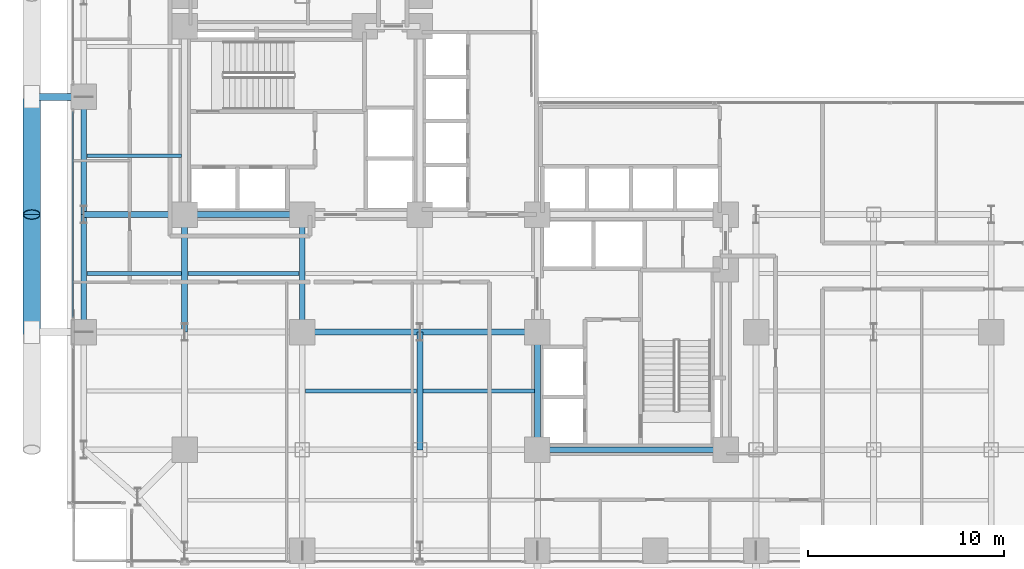
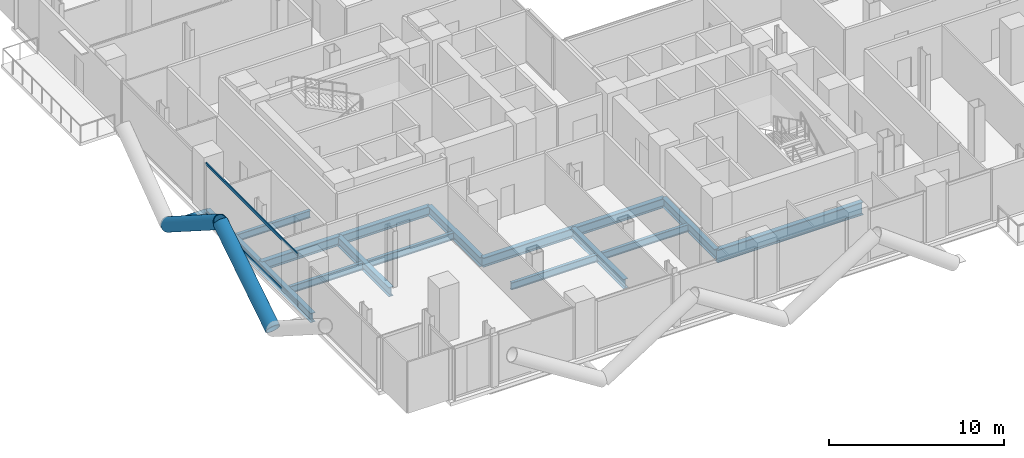
# One storey, part 4 of 27: 16 beams, 5 members, 1 element without a shape of its own.
"""IFC4 building model written with IfcOpenShell, lengths in metres."""

from ifc_helpers import new_model, si_unit, direction, frame, origin, origin_2d, place, context, subcontext, project, spatial, hollow_rectangle, hollow_circle, i_section, extrude, material, layer, layer_set, material_profile, profile_set, type_object, element, aggregate, save


model = new_model("IFC4")

# Units and contexts
model_context = context("Model", 3, precision=1e-05, world=origin(), true_north=direction((0.0, 1.0)))
body_context = subcontext(model_context, "Body", "Model", "MODEL_VIEW")
ifc_project = project(units=[si_unit("LENGTHUNIT", "METRE"), si_unit("AREAUNIT", "SQUARE_METRE"), si_unit("VOLUMEUNIT", "CUBIC_METRE"), si_unit("PLANEANGLEUNIT", "RADIAN"), si_unit("MASSUNIT", "GRAM", prefix="KILO"), si_unit("THERMODYNAMICTEMPERATUREUNIT", "KELVIN"), si_unit("POWERUNIT", "WATT")], contexts=[model_context])

# Site, building, storey
site_placement = place(None, origin())
site = spatial("IfcSite", under=ifc_project, at=site_placement, CompositionType="ELEMENT")
building_placement = place(site_placement, origin())
building = spatial("IfcBuilding", under=site, at=building_placement, Name="Svarakhadi Broadcast Tower", CompositionType="ELEMENT")
storey_placement = place(building_placement, frame((0.0, 0.0, 90.89990234375)))
storey = spatial("IfcBuildingStorey", under=building, at=storey_placement, Name="L21", CompositionType="ELEMENT", Elevation=90.89990234375)

# Beams
ifc_material_1 = material(Name="Steel S355J2 (IS 2062 E350C)", Category="steel")
ifc_material_profile_1 = material_profile(ifc_material_1, i_section(OverallWidth=0.199951171875, OverallDepth=0.5, WebThickness=0.01025390625, FlangeThickness=0.01611328125, FilletRadius=0.02099609375, at=origin_2d()), Name="NPB 500x200x91")
ifc_profile_set_1 = profile_set([ifc_material_profile_1], Name="Steel S355J2 (IS 2062 E350C)")
beam_type_1 = type_object("IfcBeamType", Name="Beam_NPB500", PredefinedType="BEAM", material=ifc_profile_set_1)
for number, where, z_axis, x_axis, name in (
    (1, (1.010009765625, 15.0, -0.5), (1.0, 0.0, 0.0), (0.0, 1.0, 0.0), "L21 Secondary Composite Beam SB002"),
    (2, (1.010009765625, 21.0, -0.5), (1.0, 0.0, 0.0), (0.0, 1.0, 0.0), "L21 Secondary Composite Beam SB003"),
):
    element("IfcBeam", number, at=place(storey_placement, frame(where, z_axis=z_axis, x_axis=x_axis)), inside=storey, type_object=beam_type_1, Name=name, PredefinedType="BEAM", context=body_context, shape_type="SweptSolid", body=[
        extrude(i_section(OverallWidth=0.199951171875, OverallDepth=0.5, WebThickness=0.01025390625, FlangeThickness=0.01611328125, FilletRadius=0.02099609375, at=origin_2d()), origin(), (0.0, 0.0, 1.0), 4.830078125),
    ])
for number, where, z_axis, x_axis, name in (
    (3, (6.159912109375, 15.0, -0.5), (1.0, 0.0, 0.0), (0.0, 1.0, 0.0), "L21 Secondary Composite Beam SB009"),
    (4, (12.159912109375, 9.0, -0.5), (1.0, 0.0, 0.0), (0.0, 1.0, 0.0), "L21 Secondary Composite Beam SB014"),
    (5, (18.159912109375, 9.0, -0.5), (1.0, 0.0, 0.0), (0.0, 1.0, 0.0), "L21 Secondary Composite Beam SB020"),
):
    element("IfcBeam", number, at=place(storey_placement, frame(where, z_axis=z_axis, x_axis=x_axis)), inside=storey, type_object=beam_type_1, Name=name, PredefinedType="BEAM", context=body_context, shape_type="SweptSolid", body=[
        extrude(i_section(OverallWidth=0.199951171875, OverallDepth=0.5, WebThickness=0.01025390625, FlangeThickness=0.01611328125, FilletRadius=0.02099609375, at=origin_2d()), origin(), (0.0, 0.0, 1.0), 5.68017578125),
    ])

# Curtain wall, members
ifc_material_2 = material(Name="Anodised Bronze Aluminium AA 6063-T6", Category="aluminium")
ifc_layer = layer(ifc_material_2, 0.219970703125)
ifc_layer_set = layer_set([ifc_layer], Name="Anodised Bronze Aluminium AA 6063-T6")
curtain_wall_type = type_object("IfcCurtainWallType", Name="CW_Sys_02", PredefinedType="NOTDEFINED", material=ifc_layer_set)
curtain_wall_placement = place(storey_placement, origin())
curtain_wall = element("IfcCurtainWall", 6, at=curtain_wall_placement, inside=storey, type_object=curtain_wall_type, Name="L21 West Curtain Wall 02 Bay 2", PredefinedType="NOTDEFINED")
ifc_material_profile_2 = material_profile(ifc_material_2, hollow_rectangle(XDim=0.074951171875, YDim=0.199951171875, WallThickness=0.0048828125, at=origin_2d()), Name="ALU TRANSOM 200x75x5")
ifc_profile_set_2 = profile_set([ifc_material_profile_2], Name="Anodised Bronze Aluminium AA 6063-T6")
member_type_1 = type_object("IfcMemberType", Name="CW_Sys_02_Trn", PredefinedType="USERDEFINED", material=ifc_profile_set_2)
member_1_placement = place(storey_placement, frame((0.300048828125, 12.7548828125, 0.03759765625), z_axis=(0.0, 1.0, 0.0), x_axis=(-1.0, 0.0, 0.0)))
member_1 = element("IfcMember", 7, at=member_1_placement, type_object=member_type_1, Name="CW-02 transom 1.1", ObjectType="TRANSOM", PredefinedType="USERDEFINED", context=body_context, shape_type="SweptSolid", body=[
    extrude(hollow_rectangle(XDim=0.074951171875, YDim=0.199951171875, WallThickness=0.0048828125, at=origin_2d()), origin(), (0.0, 0.0, 1.0), 10.490234375),
])
member_2_placement = place(storey_placement, frame((0.300048828125, 12.7548828125, 3.53759765625), z_axis=(0.0, 1.0, 0.0), x_axis=(-1.0, 0.0, 0.0)))
member_2 = element("IfcMember", 8, at=member_2_placement, type_object=member_type_1, Name="CW-02 transom 1.2", ObjectType="TRANSOM", PredefinedType="USERDEFINED", context=body_context, shape_type="SweptSolid", body=[
    extrude(hollow_rectangle(XDim=0.074951171875, YDim=0.199951171875, WallThickness=0.0048828125, at=origin_2d()), origin(), (0.0, 0.0, 1.0), 10.490234375),
])
aggregate(curtain_wall, [member_1, member_2])

# Members
ifc_material_3 = material(Name="Steel S460ML (IS 2062 E450BR)", Category="steel")
ifc_material_profile_3 = material_profile(ifc_material_3, hollow_circle(Radius=0.45703125, WallThickness=0.044921875, at=origin_2d()), Name="CHS 914x45")
ifc_profile_set_3 = profile_set([ifc_material_profile_3], Name="Steel S460ML (IS 2062 E450BR)")
member_type_2 = type_object("IfcMemberType", Name="Exo_Brace_CHS914", PredefinedType="BRACE", material=ifc_profile_set_3)
for number, where, z_axis, x_axis, name in (
    (9, (-1.800048828125, 12.0, -0.427734375), (0.0, 0.843230308573, 0.53755245949), (-1.0, 0.0, 0.0), "L21 Exposed Bronze Exoskeleton Diagonal W07"),
    (10, (-1.800048828125, 24.0, -0.427734375), (0.0, -0.843230308573, 0.53755245949), (1.0, 0.0, 0.0), "L21 Exposed Bronze Exoskeleton Diagonal W08"),
):
    element("IfcMember", number, at=place(storey_placement, frame(where, z_axis=z_axis, x_axis=x_axis)), inside=storey, type_object=member_type_2, Name=name, PredefinedType="BRACE", context=body_context, shape_type="SweptSolid", body=[
        extrude(hollow_circle(Radius=0.45703125, WallThickness=0.044921875, at=origin_2d()), origin(), (0.0, 0.0, 1.0), 7.115478515625),
    ])
ifc_material_profile_4 = material_profile(ifc_material_3, hollow_circle(Radius=0.177734375, WallThickness=0.02001953125, at=origin_2d()), Name="CHS 355.6x20")
ifc_profile_set_4 = profile_set([ifc_material_profile_4], Name="Steel S460ML (IS 2062 E450BR)")
member_type_3 = type_object("IfcMemberType", Name="Exo_Radial_Strut_Z1", PredefinedType="STRUT", material=ifc_profile_set_4)
member_3_placement = place(storey_placement, frame((-1.800048828125, 24.0, -0.427734375), z_axis=(1.0, 0.0, 0.0), x_axis=(0.0, 1.0, 0.0)))
element("IfcMember", 11, at=member_3_placement, inside=storey, type_object=member_type_3, Name="L21 Exoskeleton Radial Tie Strut W05", PredefinedType="STRUT", context=body_context, shape_type="SweptSolid", body=[
    extrude(hollow_circle(Radius=0.177734375, WallThickness=0.02001953125, at=origin_2d()), origin(), (0.0, 0.0, 1.0), 2.650146484375),
])

# Beams
ifc_material_profile_5 = material_profile(ifc_material_1, i_section(OverallWidth=0.300048828125, OverallDepth=0.64990234375, WebThickness=0.01611328125, FlangeThickness=0.031005859375, FilletRadius=0.027099609375, at=origin_2d()), Name="WPB 650x300x225")
ifc_profile_set_5 = profile_set([ifc_material_profile_5], Name="Steel S355J2 (IS 2062 E350C)")
beam_type_2 = type_object("IfcBeamType", Name="Girder_WPB650", PredefinedType="USERDEFINED", material=ifc_profile_set_5)
for number, where, z_axis, x_axis, name in (
    (12, (12.0, 12.0, -0.574951171875), (1.0, 0.0, 0.0), (0.0, 1.0, 0.0), "L21 Primary E-W Girder G021"),
    (13, (18.0, 12.0, -0.574951171875), (1.0, 0.0, 0.0), (0.0, 1.0, 0.0), "L21 Primary E-W Girder G022"),
):
    element("IfcBeam", number, at=place(storey_placement, frame(where, z_axis=z_axis, x_axis=x_axis)), inside=storey, type_object=beam_type_2, Name=name, ObjectType="GIRDER", PredefinedType="USERDEFINED", context=body_context, shape_type="SweptSolid", body=[
        extrude(i_section(OverallWidth=0.300048828125, OverallDepth=0.64990234375, WebThickness=0.01611328125, FlangeThickness=0.031005859375, FilletRadius=0.027099609375, at=origin_2d()), origin(), (0.0, 0.0, 1.0), 6.0),
    ])
beam_1_placement = place(storey_placement, frame((0.85009765625, 18.0, -0.574951171875), z_axis=(1.0, 0.0, 0.0), x_axis=(0.0, 1.0, 0.0)))
element("IfcBeam", 14, at=beam_1_placement, inside=storey, type_object=beam_type_2, Name="L21 Primary E-W Girder G025", ObjectType="GIRDER", PredefinedType="USERDEFINED", context=body_context, shape_type="SweptSolid", body=[
    extrude(i_section(OverallWidth=0.300048828125, OverallDepth=0.64990234375, WebThickness=0.01611328125, FlangeThickness=0.031005859375, FilletRadius=0.027099609375, at=origin_2d()), origin(), (0.0, 0.0, 1.0), 5.14990234375),
])
for number, where, z_axis, x_axis, name in (
    (15, (6.0, 18.0, -0.574951171875), (1.0, 0.0, 0.0), (0.0, 1.0, 0.0), "L21 Primary E-W Girder G026"),
    (16, (0.85009765625, 12.0, -0.574951171875), (0.0, 1.0, 0.0), (-1.0, 0.0, 0.0), "L21 Primary N-S Girder G046"),
    (17, (0.85009765625, 18.0, -0.574951171875), (0.0, 1.0, 0.0), (-1.0, 0.0, 0.0), "L21 Primary N-S Girder G047"),
    (18, (6.0, 12.0, -0.574951171875), (0.0, 1.0, 0.0), (-1.0, 0.0, 0.0), "L21 Primary N-S Girder G053"),
    (19, (12.0, 12.0, -0.574951171875), (0.0, 1.0, 0.0), (-1.0, 0.0, 0.0), "L21 Primary N-S Girder G060"),
    (20, (18.0, 6.0, -0.574951171875), (0.0, 1.0, 0.0), (-1.0, 0.0, 0.0), "L21 Primary N-S Girder G065"),
    (21, (24.0, 6.0, -0.574951171875), (0.0, 1.0, 0.0), (-1.0, 0.0, 0.0), "L21 Primary N-S Girder G072"),
):
    element("IfcBeam", number, at=place(storey_placement, frame(where, z_axis=z_axis, x_axis=x_axis)), inside=storey, type_object=beam_type_2, Name=name, ObjectType="GIRDER", PredefinedType="USERDEFINED", context=body_context, shape_type="SweptSolid", body=[
        extrude(i_section(OverallWidth=0.300048828125, OverallDepth=0.64990234375, WebThickness=0.01611328125, FlangeThickness=0.031005859375, FilletRadius=0.027099609375, at=origin_2d()), origin(), (0.0, 0.0, 1.0), 6.0),
    ])
ifc_material_profile_6 = material_profile(ifc_material_3, i_section(OverallWidth=0.300048828125, OverallDepth=0.89990234375, WebThickness=0.0185546875, FlangeThickness=0.034912109375, FilletRadius=0.030029296875, at=origin_2d()), Name="WPB 900x300x291")
ifc_profile_set_6 = profile_set([ifc_material_profile_6], Name="Steel S460ML (IS 2062 E450BR)")
beam_type_3 = type_object("IfcBeamType", Name="Girder_WPB900", PredefinedType="USERDEFINED", material=ifc_profile_set_6)
beam_2_placement = place(storey_placement, frame((24.0, 6.0, -0.699951171875), z_axis=(1.0, 0.0, 0.0), x_axis=(0.0, 1.0, 0.0)))
element("IfcBeam", 22, at=beam_2_placement, inside=storey, type_object=beam_type_3, Name="L21 Primary E-W Girder G015", ObjectType="GIRDER", PredefinedType="USERDEFINED", context=body_context, shape_type="SweptSolid", body=[
    extrude(i_section(OverallWidth=0.300048828125, OverallDepth=0.89990234375, WebThickness=0.0185546875, FlangeThickness=0.034912109375, FilletRadius=0.030029296875, at=origin_2d()), origin(), (0.0, 0.0, 1.0), 9.60009765625),
])

save(model, "model.ifc")
